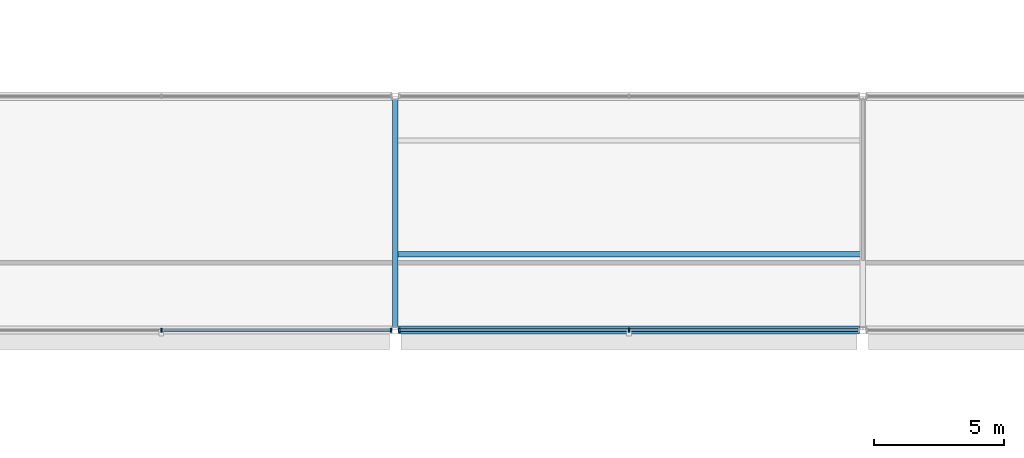
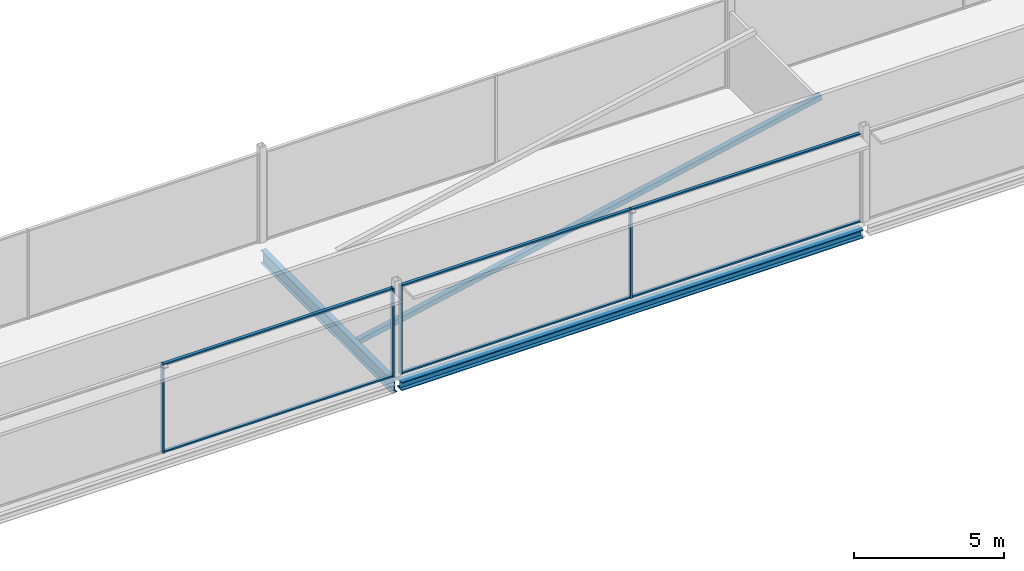
# One storey, part 21 of 98: 11 members, 2 beams, 2 elements without a shape of their own.
"""IFC4 building model written with IfcOpenShell, lengths in metres."""

from ifc_helpers import new_model, si_unit, direction, frame, origin, origin_2d, place, context, subcontext, project, spatial, rectangle, hollow_rectangle, i_section, extrude, material, layer, layer_set, material_profile, profile_set, type_object, element, aggregate, save


model = new_model("IFC4")

# Units and contexts
model_context = context("Model", 3, precision=1e-05, world=origin(), true_north=direction((0.0, 1.0)))
body_context = subcontext(model_context, "Body", "Model", "MODEL_VIEW")
ifc_project = project(units=[si_unit("LENGTHUNIT", "METRE"), si_unit("AREAUNIT", "SQUARE_METRE"), si_unit("VOLUMEUNIT", "CUBIC_METRE"), si_unit("PLANEANGLEUNIT", "RADIAN"), si_unit("MASSUNIT", "GRAM", prefix="KILO")], contexts=[model_context])

# Site, building, storey
site_placement = place(None, origin())
site = spatial("IfcSite", under=ifc_project, at=site_placement, CompositionType="ELEMENT")
building_placement = place(site_placement, origin())
building = spatial("IfcBuilding", under=site, at=building_placement, Name="Kisiwana Market Hall", CompositionType="ELEMENT")
storey_placement = place(building_placement, frame((0.0, 0.0, 29.39990234375)))
storey = spatial("IfcBuildingStorey", under=building, at=storey_placement, Name="L06", CompositionType="ELEMENT", Elevation=29.39990234375)

# Beams
ifc_material_1 = material(Name="Steel S355", Category="steel")
ifc_material_profile_1 = material_profile(ifc_material_1, i_section(OverallWidth=0.209228515625, OverallDepth=0.533203125, WebThickness=0.010009765625, FlangeThickness=0.015625, at=origin_2d()), Name="UB 533x210x92")
ifc_profile_set_1 = profile_set([ifc_material_profile_1], Name="Steel S355")
beam_type_1 = type_object("IfcBeamType", Name="BM-GIRD-UB533", PredefinedType="BEAM", material=ifc_profile_set_1)
beam_1_placement = place(storey_placement, frame((81.0, 18.12109375, -0.531494140625), z_axis=(0.0, 1.0, 0.0), x_axis=(-1.0, 0.0, 0.0)))
element("IfcBeam", 1, at=beam_1_placement, inside=storey, type_object=beam_type_1, Name="Primary girder B-1721", PredefinedType="BEAM", context=body_context, shape_type="SweptSolid", body=[
    extrude(i_section(OverallWidth=0.209228515625, OverallDepth=0.533203125, WebThickness=0.010009765625, FlangeThickness=0.015625, at=origin_2d()), origin(), (0.0, 0.0, 1.0), 8.7578125),
])
ifc_material_2 = material(Name="Steel S355", Category="steel")
ifc_material_profile_2 = material_profile(ifc_material_2, i_section(OverallWidth=0.314453125, OverallDepth=0.33984375, WebThickness=0.01904296875, FlangeThickness=0.031494140625, at=origin_2d()), Name="UC 305x305x198")
ifc_profile_set_2 = profile_set([ifc_material_profile_2], Name="Steel S355")
beam_type_2 = type_object("IfcBeamType", Name="BM-SKYBR-CHORD", PredefinedType="BEAM", material=ifc_profile_set_2)
beam_2_placement = place(storey_placement, frame((81.12109375, 18.0, -0.434814453125), z_axis=(1.0, 0.0, 0.0), x_axis=(0.0, 1.0, 0.0)))
element("IfcBeam", 2, at=beam_2_placement, inside=storey, type_object=beam_type_2, Name="Floor beam B-1789", PredefinedType="BEAM", context=body_context, shape_type="SweptSolid", body=[
    extrude(i_section(OverallWidth=0.314453125, OverallDepth=0.33984375, WebThickness=0.01904296875, FlangeThickness=0.031494140625, at=origin_2d()), origin(), (0.0, 0.0, 1.0), 17.7578125),
])

# Curtain wall, members
ifc_material_3 = material(Name="Double-glazed solar-control low-E IGU", Category="glass")
ifc_layer = layer(ifc_material_3, 0.159912109375)
ifc_layer_set = layer_set([ifc_layer], Name="CW-ZNA-EW-8200")
curtain_wall_type = type_object("IfcCurtainWallType", Name="CW-ZNA-EW-8200", PredefinedType="USERDEFINED", material=ifc_layer_set)
curtain_wall_1_placement = place(storey_placement, origin())
curtain_wall_1 = element("IfcCurtainWall", 3, at=curtain_wall_1_placement, inside=storey, type_object=curtain_wall_type, Name="Unitised curtain wall CW-173 (L06)", ObjectType="UNITISED CURTAIN WALL", PredefinedType="USERDEFINED")
ifc_material_4 = material(Name="Aluminium alloy 6063-T6", Category="aluminium")
ifc_material_profile_3 = material_profile(ifc_material_4, rectangle(XDim=0.06005859375, YDim=0.159912109375, at=origin_2d()), Name="ALU MULLION 60x160")
ifc_profile_set_3 = profile_set([ifc_material_profile_3], Name="Aluminium alloy 6063-T6")
member_type_1 = type_object("IfcMemberType", Name="CW-MULL-60x160", PredefinedType="MULLION", material=ifc_profile_set_3)
member_1_placement = place(storey_placement, frame((72.0, 18.0, 0.0), z_axis=(0.0, 0.0, 1.0), x_axis=(1.0, 0.0, 0.0)))
member_1 = element("IfcMember", 4, at=member_1_placement, type_object=member_type_1, Name="CW-173 mullion 2", PredefinedType="MULLION", context=body_context, shape_type="SweptSolid", body=[
    extrude(rectangle(XDim=0.06005859375, YDim=0.159912109375, at=origin_2d()), origin(), (0.0, 0.0, 1.0), 3.6201171875),
])
member_2_placement = place(storey_placement, frame((80.844970703125, 18.0, 0.0), z_axis=(0.0, 0.0, 1.0), x_axis=(1.0, 0.0, 0.0)))
member_2 = element("IfcMember", 5, at=member_2_placement, type_object=member_type_1, Name="CW-173 mullion 3", PredefinedType="MULLION", context=body_context, shape_type="SweptSolid", body=[
    extrude(rectangle(XDim=0.06005859375, YDim=0.159912109375, at=origin_2d()), origin(), (0.0, 0.0, 1.0), 3.6201171875),
])

curtain_wall_2_placement = place(storey_placement, origin())
curtain_wall_2 = element("IfcCurtainWall", 6, at=curtain_wall_2_placement, inside=storey, type_object=curtain_wall_type, Name="Unitised curtain wall CW-174 (L06)", ObjectType="UNITISED CURTAIN WALL", PredefinedType="USERDEFINED")
member_3_placement = place(storey_placement, frame((81.155029296875, 18.0, 0.0), z_axis=(0.0, 0.0, 1.0), x_axis=(1.0, 0.0, 0.0)))
member_3 = element("IfcMember", 7, at=member_3_placement, type_object=member_type_1, Name="CW-174 mullion 1", PredefinedType="MULLION", context=body_context, shape_type="SweptSolid", body=[
    extrude(rectangle(XDim=0.06005859375, YDim=0.159912109375, at=origin_2d()), origin(), (0.0, 0.0, 1.0), 3.6201171875),
])
member_4_placement = place(storey_placement, frame((90.0, 18.0, 0.0), z_axis=(0.0, 0.0, 1.0), x_axis=(1.0, 0.0, 0.0)))
member_4 = element("IfcMember", 8, at=member_4_placement, type_object=member_type_1, Name="CW-174 mullion 2", PredefinedType="MULLION", context=body_context, shape_type="SweptSolid", body=[
    extrude(rectangle(XDim=0.06005859375, YDim=0.159912109375, at=origin_2d()), origin(), (0.0, 0.0, 1.0), 3.6201171875),
])

# Member
ifc_material_5 = material(Name="Aluminium alloy 6063-T6", Category="aluminium")
ifc_material_profile_4 = material_profile(ifc_material_5, rectangle(XDim=0.1201171875, YDim=0.06005859375, at=origin_2d()), Name="ALU TRANSOM 60x120")
ifc_profile_set_4 = profile_set([ifc_material_profile_4], Name="Aluminium alloy 6063-T6")
member_type_2 = type_object("IfcMemberType", Name="CW-TRAN-60x120", PredefinedType="USERDEFINED", material=ifc_profile_set_4)
member_5_placement = place(storey_placement, frame((72.030029296875, 18.0, 0.030029296875), z_axis=(1.0, 0.0, 0.0), x_axis=(0.0, 1.0, 0.0)))
member_5 = element("IfcMember", 9, at=member_5_placement, type_object=member_type_2, Name="CW-173 transom 2.1", ObjectType="TRANSOM", PredefinedType="USERDEFINED", context=body_context, shape_type="SweptSolid", body=[
    extrude(rectangle(XDim=0.1201171875, YDim=0.06005859375, at=origin_2d()), origin(), (0.0, 0.0, 1.0), 8.784912109375),
])

member_6_placement = place(storey_placement, frame((72.030029296875, 18.0, 3.590087890625), z_axis=(1.0, 0.0, 0.0), x_axis=(0.0, 1.0, 0.0)))
member_6 = element("IfcMember", 10, at=member_6_placement, type_object=member_type_2, Name="CW-173 transom 2.2", ObjectType="TRANSOM", PredefinedType="USERDEFINED", context=body_context, shape_type="SweptSolid", body=[
    extrude(rectangle(XDim=0.1201171875, YDim=0.06005859375, at=origin_2d()), origin(), (0.0, 0.0, 1.0), 8.784912109375),
])

aggregate(curtain_wall_1, [member_1, member_2, member_5, member_6])

member_7_placement = place(storey_placement, frame((81.18505859375, 18.0, 0.030029296875), z_axis=(1.0, 0.0, 0.0), x_axis=(0.0, 1.0, 0.0)))
member_7 = element("IfcMember", 11, at=member_7_placement, type_object=member_type_2, Name="CW-174 transom 1.1", ObjectType="TRANSOM", PredefinedType="USERDEFINED", context=body_context, shape_type="SweptSolid", body=[
    extrude(rectangle(XDim=0.1201171875, YDim=0.06005859375, at=origin_2d()), origin(), (0.0, 0.0, 1.0), 8.784912109375),
])

member_8_placement = place(storey_placement, frame((81.18505859375, 18.0, 3.590087890625), z_axis=(1.0, 0.0, 0.0), x_axis=(0.0, 1.0, 0.0)))
member_8 = element("IfcMember", 12, at=member_8_placement, type_object=member_type_2, Name="CW-174 transom 1.2", ObjectType="TRANSOM", PredefinedType="USERDEFINED", context=body_context, shape_type="SweptSolid", body=[
    extrude(rectangle(XDim=0.1201171875, YDim=0.06005859375, at=origin_2d()), origin(), (0.0, 0.0, 1.0), 8.784912109375),
])

member_9_placement = place(storey_placement, frame((90.030029296875, 18.0, 0.030029296875), z_axis=(1.0, 0.0, 0.0), x_axis=(0.0, 1.0, 0.0)))
member_9 = element("IfcMember", 13, at=member_9_placement, type_object=member_type_2, Name="CW-174 transom 2.1", ObjectType="TRANSOM", PredefinedType="USERDEFINED", context=body_context, shape_type="SweptSolid", body=[
    extrude(rectangle(XDim=0.1201171875, YDim=0.06005859375, at=origin_2d()), origin(), (0.0, 0.0, 1.0), 8.784912109375),
])

member_10_placement = place(storey_placement, frame((90.030029296875, 18.0, 3.590087890625), z_axis=(1.0, 0.0, 0.0), x_axis=(0.0, 1.0, 0.0)))
member_10 = element("IfcMember", 14, at=member_10_placement, type_object=member_type_2, Name="CW-174 transom 2.2", ObjectType="TRANSOM", PredefinedType="USERDEFINED", context=body_context, shape_type="SweptSolid", body=[
    extrude(rectangle(XDim=0.1201171875, YDim=0.06005859375, at=origin_2d()), origin(), (0.0, 0.0, 1.0), 8.784912109375),
])

aggregate(curtain_wall_2, [member_3, member_4, member_7, member_8, member_9, member_10])

ifc_material_6 = material(Name="Steel S355", Category="steel")
ifc_material_profile_5 = material_profile(ifc_material_6, hollow_rectangle(XDim=0.199951171875, YDim=0.199951171875, WallThickness=0.010009765625, at=origin_2d()), Name="SHS 200x200x10.0")
ifc_profile_set_5 = profile_set([ifc_material_profile_5], Name="Steel S355")
member_type_3 = type_object("IfcMemberType", Name="MB-SKY-DIAG200", PredefinedType="BRACE", material=ifc_profile_set_5)
member_11_placement = place(storey_placement, frame((81.0, 20.919921875, -0.5), z_axis=(0.978762510891, 0.0, 0.204997432362), x_axis=(0.0, 1.0, 0.0)))
element("IfcMember", 15, at=member_11_placement, inside=storey, type_object=member_type_3, Name="Skybridge truss diagonal L06 grids 10 to 12 M-0496", PredefinedType="BRACE", context=body_context, shape_type="SweptSolid", body=[
    extrude(hollow_rectangle(XDim=0.199951171875, YDim=0.199951171875, WallThickness=0.010009765625, at=origin_2d()), origin(), (0.0, 0.0, 1.0), 18.390625),
])

save(model, "model.ifc")
